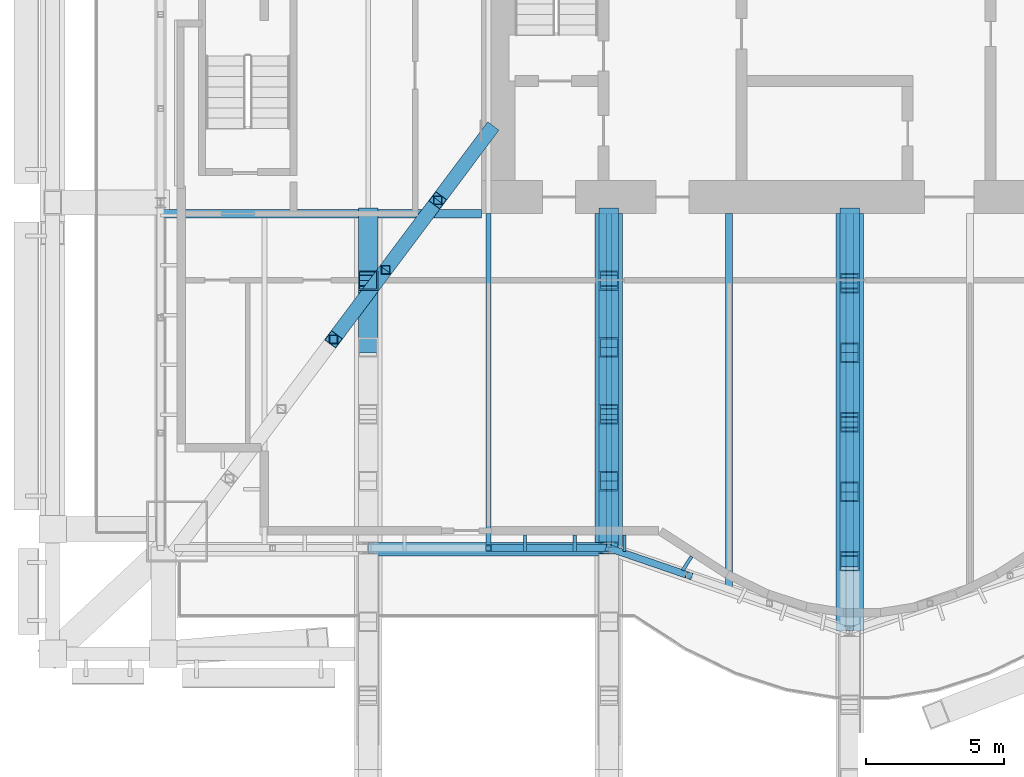
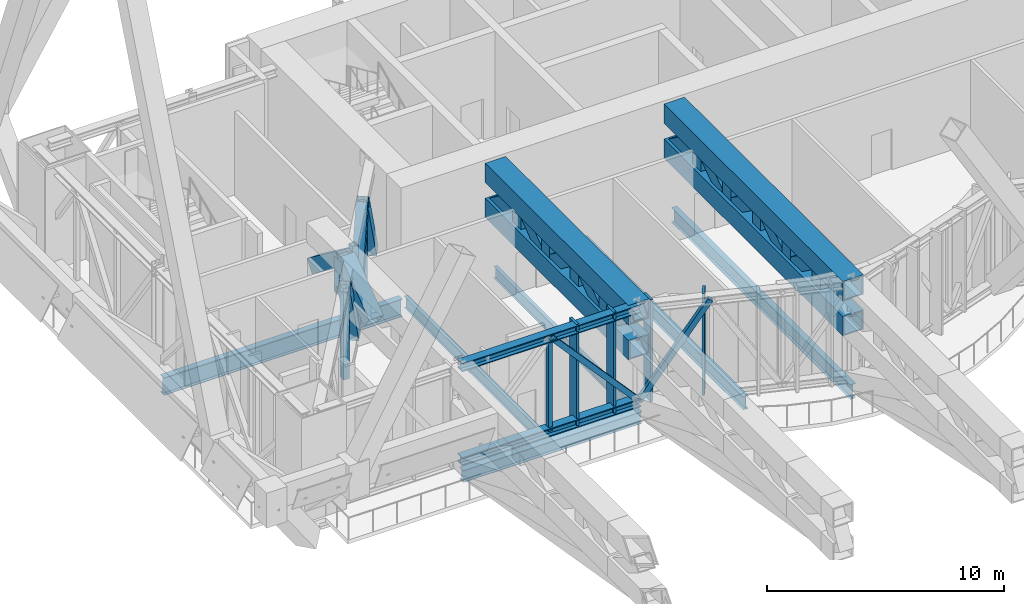
# One storey, part 9 of 30: 41 members, 6 beams, 1 element without a shape of its own.
"""IFC4 building model written with IfcOpenShell, lengths in metres."""

from ifc_helpers import new_model, si_unit, direction, frame, origin, origin_2d, place, context, subcontext, project, spatial, rectangle, hollow_rectangle, i_section, extrude, material, material_profile, profile_set, type_object, element, aggregate, save


model = new_model("IFC4")

# Units and contexts
model_context = context("Model", 3, precision=1e-05, world=origin(), true_north=direction((0.0, 1.0)))
body_context = subcontext(model_context, "Body", "Model", "MODEL_VIEW")
ifc_project = project(units=[si_unit("LENGTHUNIT", "METRE"), si_unit("AREAUNIT", "SQUARE_METRE"), si_unit("VOLUMEUNIT", "CUBIC_METRE"), si_unit("PLANEANGLEUNIT", "RADIAN"), si_unit("MASSUNIT", "GRAM", prefix="KILO")], contexts=[model_context])

# Site, building, storey
site_placement = place(None, origin())
site = spatial("IfcSite", under=ifc_project, at=site_placement, CompositionType="ELEMENT")
building_placement = place(site_placement, origin())
building = spatial("IfcBuilding", under=site, at=building_placement, Name="Bicima Exchange Tower", CompositionType="ELEMENT")
storey_placement = place(building_placement, frame((0.0, 0.0, 287.60009765625)))
storey = spatial("IfcBuildingStorey", under=building, at=storey_placement, Name="L65", CompositionType="ELEMENT", Elevation=287.60009765625)

# Curtain wall, members
ifc_material_1 = material(Name="Anodised bronze aluminium", Category="aluminium")
curtain_wall_type = type_object("IfcCurtainWallType", Name="Band blade screen", PredefinedType="NOTDEFINED", material=ifc_material_1)
curtain_wall_placement = place(storey_placement, origin())
curtain_wall = element("IfcCurtainWall", 1, at=curtain_wall_placement, inside=storey, type_object=curtain_wall_type, Name="Band blade screen L65", PredefinedType="NOTDEFINED")
ifc_material_profile_1 = material_profile(ifc_material_1, rectangle(XDim=0.60009765625, YDim=0.1201171875, at=origin_2d()))
ifc_profile_set_1 = profile_set([ifc_material_profile_1], Name="Anodised bronze aluminium")
member_type_1 = type_object("IfcMemberType", Name="Band blade fin 600 x 120", PredefinedType="USERDEFINED", material=ifc_profile_set_1)
member_1_placement = place(storey_placement, frame((-20.432373046875, -24.904052734375, 0.0), z_axis=(0.0, 0.0, 1.0), x_axis=(0.0, 1.0, 0.0)))
member_1 = element("IfcMember", 2, at=member_1_placement, type_object=member_type_1, Name="Band blade fin 20", ObjectType="FIN", PredefinedType="USERDEFINED", context=body_context, shape_type="SweptSolid", body=[
    extrude(rectangle(XDim=0.60009765625, YDim=0.1201171875, at=origin_2d()), origin(), (0.0, 0.0, 1.0), 5.25),
])
member_2_placement = place(storey_placement, frame((-18.63232421875, -24.904052734375, 0.0), z_axis=(0.0, 0.0, 1.0), x_axis=(0.0, 1.0, 0.0)))
member_2 = element("IfcMember", 3, at=member_2_placement, type_object=member_type_1, Name="Band blade fin 21", ObjectType="FIN", PredefinedType="USERDEFINED", context=body_context, shape_type="SweptSolid", body=[
    extrude(rectangle(XDim=0.60009765625, YDim=0.1201171875, at=origin_2d()), origin(), (0.0, 0.0, 1.0), 5.25),
])
member_3_placement = place(storey_placement, frame((-16.832275390625, -24.904052734375, 0.0), z_axis=(0.0, 0.0, 1.0), x_axis=(0.0, 1.0, 0.0)))
member_3 = element("IfcMember", 4, at=member_3_placement, type_object=member_type_1, Name="Band blade fin 22", ObjectType="FIN", PredefinedType="USERDEFINED", context=body_context, shape_type="SweptSolid", body=[
    extrude(rectangle(XDim=0.60009765625, YDim=0.1201171875, at=origin_2d()), origin(), (0.0, 0.0, 1.0), 5.25),
])
member_4_placement = place(storey_placement, frame((-14.5703125, -25.636474609375, 0.0), z_axis=(0.0, 0.0, 1.0), x_axis=(0.542916511621, 0.839786676132, 0.0)))
member_4 = element("IfcMember", 5, at=member_4_placement, type_object=member_type_1, Name="Band blade fin 23", ObjectType="FIN", PredefinedType="USERDEFINED", context=body_context, shape_type="SweptSolid", body=[
    extrude(rectangle(XDim=0.60009765625, YDim=0.1201171875, at=origin_2d()), origin(), (0.0, 0.0, 1.0), 5.25),
])
aggregate(curtain_wall, [member_1, member_2, member_3, member_4])

# Members
ifc_material_2 = material(Name="Steel ASTM A992 Gr 50", Category="steel")
ifc_material_profile_2 = material_profile(ifc_material_2, i_section(OverallWidth=0.406494140625, OverallDepth=0.41650390625, WebThickness=0.030029296875, FlangeThickness=0.048095703125, at=origin_2d()))
ifc_profile_set_2 = profile_set([ifc_material_profile_2], Name="Steel ASTM A992 Gr 50")
member_type_2 = type_object("IfcMemberType", Name="Belt truss chord W14x257", PredefinedType="CHORD", material=ifc_profile_set_2)
for number, where, z_axis, x_axis, name in (
    (6, (-26.10009765625, -25.08203125, 5.04150390625), (1.0, 0.0, 0.0), (0.0, 1.0, 0.0), "Top chord"),
    (7, (-26.10009765625, -25.08203125, 0.208251953125), (1.0, 0.0, 0.0), (0.0, 1.0, 0.0), "Bottom chord"),
):
    element("IfcMember", number, at=place(storey_placement, frame(where, z_axis=z_axis, x_axis=x_axis)), inside=storey, type_object=member_type_2, Name=name, PredefinedType="CHORD", context=body_context, shape_type="SweptSolid", body=[
        extrude(i_section(OverallWidth=0.406494140625, OverallDepth=0.41650390625, WebThickness=0.030029296875, FlangeThickness=0.048095703125, at=origin_2d()), origin(), (0.0, 0.0, 1.0), 8.7001953125),
    ])
ifc_material_3 = material(Name="Steel ASTM A572 Gr 50", Category="steel")
ifc_material_profile_3 = material_profile(ifc_material_3, hollow_rectangle(XDim=0.25390625, YDim=0.25390625, WallThickness=0.01171875, at=origin_2d()))
ifc_profile_set_3 = profile_set([ifc_material_profile_3], Name="Steel ASTM A572 Gr 50")
member_type_3 = type_object("IfcMemberType", Name="Belt truss diagonal HSS10x10x1/2", PredefinedType="STRUT", material=ifc_profile_set_3)
member_5_placement = place(storey_placement, frame((-21.75, -25.08203125, 5.04150390625), z_axis=(0.668979251714, 0.0, -0.743281077908), x_axis=(0.0, 1.0, 0.0)))
element("IfcMember", 8, at=member_5_placement, inside=storey, type_object=member_type_3, Name="Truss diagonal", PredefinedType="STRUT", context=body_context, shape_type="SweptSolid", body=[
    extrude(hollow_rectangle(XDim=0.25390625, YDim=0.25390625, WallThickness=0.01171875, at=origin_2d()), origin(), (0.0, 0.0, 1.0), 6.502685546875),
])
member_6_placement = place(storey_placement, frame((-17.39990234375, -25.08203125, 0.208251953125), z_axis=(0.506623731126, -0.174191894083, 0.844387102635), x_axis=(0.325146518908, 0.945663651222, 0.0)))
element("IfcMember", 9, at=member_6_placement, inside=storey, type_object=member_type_3, Name="Truss diagonal", PredefinedType="STRUT", context=body_context, shape_type="SweptSolid", body=[
    extrude(hollow_rectangle(XDim=0.25390625, YDim=0.25390625, WallThickness=0.01171875, at=origin_2d()), origin(), (0.0, 0.0, 1.0), 5.723876953125),
])
ifc_material_profile_4 = material_profile(ifc_material_3, hollow_rectangle(XDim=0.203125, YDim=0.203125, WallThickness=0.01171875, at=origin_2d()))
ifc_profile_set_4 = profile_set([ifc_material_profile_4], Name="Steel ASTM A572 Gr 50")
member_type_4 = type_object("IfcMemberType", Name="Belt truss post HSS8x8x1/2", PredefinedType="POST", material=ifc_profile_set_4)
member_7_placement = place(storey_placement, frame((-21.75, -25.08203125, 0.208251953125), z_axis=(0.0, 0.0, 1.0), x_axis=(1.0, 0.0, 0.0)))
element("IfcMember", 10, at=member_7_placement, inside=storey, type_object=member_type_4, Name="Truss post", PredefinedType="POST", context=body_context, shape_type="SweptSolid", body=[
    extrude(hollow_rectangle(XDim=0.203125, YDim=0.203125, WallThickness=0.01171875, at=origin_2d()), origin(), (0.0, 0.0, 1.0), 4.833251953125),
])

# Beams
ifc_material_profile_5 = material_profile(ifc_material_2, i_section(OverallWidth=0.3046875, OverallDepth=0.911865234375, WebThickness=0.015869140625, FlangeThickness=0.02392578125, at=origin_2d()))
ifc_profile_set_5 = profile_set([ifc_material_profile_5], Name="Steel ASTM A992 Gr 50")
beam_type_1 = type_object("IfcBeamType", Name="Core-line girder W36x150", PredefinedType="BEAM", material=ifc_profile_set_5)
beam_1_placement = place(storey_placement, frame((-22.0, -13.0, -0.656005859375), z_axis=(-1.0, 0.0, 0.0), x_axis=(0.0, -1.0, 0.0)))
element("IfcBeam", 11, at=beam_1_placement, inside=storey, type_object=beam_type_1, Name="Core-line girder", PredefinedType="BEAM", context=body_context, shape_type="SweptSolid", body=[
    extrude(i_section(OverallWidth=0.3046875, OverallDepth=0.911865234375, WebThickness=0.015869140625, FlangeThickness=0.02392578125, at=origin_2d()), origin(), (0.0, 0.0, 1.0), 11.60009765625),
])
ifc_material_profile_6 = material_profile(ifc_material_2, i_section(OverallWidth=0.177978515625, OverallDepth=0.599365234375, WebThickness=0.010009765625, FlangeThickness=0.012939453125, at=origin_2d()))
ifc_profile_set_6 = profile_set([ifc_material_profile_6], Name="Steel ASTM A992 Gr 50")
beam_type_2 = type_object("IfcBeamType", Name="Floor beam W24x55", PredefinedType="JOIST", material=ifc_profile_set_6)
for number, where, z_axis, x_axis, name in (
    (12, (-21.75, -13.0, -0.499755859375), (0.0, -1.0, 0.0), (1.0, 0.0, 0.0), "Floor beam"),
    (13, (-17.39990234375, -13.0, -0.499755859375), (0.0, -1.0, 0.0), (1.0, 0.0, 0.0), "Floor beam"),
):
    element("IfcBeam", number, at=place(storey_placement, frame(where, z_axis=z_axis, x_axis=x_axis)), inside=storey, type_object=beam_type_2, Name=name, PredefinedType="JOIST", context=body_context, shape_type="SweptSolid", body=[
        extrude(i_section(OverallWidth=0.177978515625, OverallDepth=0.599365234375, WebThickness=0.010009765625, FlangeThickness=0.012939453125, at=origin_2d()), origin(), (0.0, 0.0, 1.0), 12.04150390625),
    ])
ifc_material_profile_7 = material_profile(ifc_material_2, i_section(OverallWidth=0.25390625, OverallDepth=0.67822265625, WebThickness=0.01171875, FlangeThickness=0.016357421875, at=origin_2d()))
ifc_profile_set_7 = profile_set([ifc_material_profile_7], Name="Steel ASTM A992 Gr 50")
beam_type_3 = type_object("IfcBeamType", Name="Floor beam W27x84", PredefinedType="JOIST", material=ifc_profile_set_7)
beam_2_placement = place(storey_placement, frame((-13.050048828125, -13.0, -0.539306640625), z_axis=(0.0, -1.0, 0.0), x_axis=(1.0, 0.0, 0.0)))
element("IfcBeam", 14, at=beam_2_placement, inside=storey, type_object=beam_type_3, Name="Floor beam", PredefinedType="JOIST", context=body_context, shape_type="SweptSolid", body=[
    extrude(i_section(OverallWidth=0.25390625, OverallDepth=0.67822265625, WebThickness=0.01171875, FlangeThickness=0.016357421875, at=origin_2d()), origin(), (0.0, 0.0, 1.0), 13.56396484375),
])
ifc_material_profile_8 = material_profile(ifc_material_2, i_section(OverallWidth=0.2666015625, OverallDepth=0.75439453125, WebThickness=0.01318359375, FlangeThickness=0.01708984375, at=origin_2d()))
ifc_profile_set_8 = profile_set([ifc_material_profile_8], Name="Steel ASTM A992 Gr 50")
beam_type_4 = type_object("IfcBeamType", Name="Floor beam W30x99", PredefinedType="JOIST", material=ifc_profile_set_8)
beam_3_placement = place(storey_placement, frame((-8.699951171875, -13.0, -0.577392578125), z_axis=(0.0, -1.0, 0.0), x_axis=(1.0, 0.0, 0.0)))
element("IfcBeam", 15, at=beam_3_placement, inside=storey, type_object=beam_type_4, Name="Floor beam", PredefinedType="JOIST", context=body_context, shape_type="SweptSolid", body=[
    extrude(i_section(OverallWidth=0.2666015625, OverallDepth=0.75439453125, WebThickness=0.01318359375, FlangeThickness=0.01708984375, at=origin_2d()), origin(), (0.0, 0.0, 1.0), 15.059326171875),
])
ifc_material_profile_9 = material_profile(ifc_material_2, i_section(OverallWidth=0.3251953125, OverallDepth=0.612060546875, WebThickness=0.0126953125, FlangeThickness=0.01904296875, at=origin_2d()))
ifc_profile_set_9 = profile_set([ifc_material_profile_9], Name="Steel ASTM A992 Gr 50")
beam_type_5 = type_object("IfcBeamType", Name="Front girder W24x104", PredefinedType="BEAM", material=ifc_profile_set_9)
beam_4_placement = place(storey_placement, frame((-26.10009765625, -25.2041015625, -0.506103515625), z_axis=(1.0, 0.0, 0.0), x_axis=(0.0, 1.0, 0.0)))
element("IfcBeam", 16, at=beam_4_placement, inside=storey, type_object=beam_type_5, Name="Front girder", PredefinedType="BEAM", context=body_context, shape_type="SweptSolid", body=[
    extrude(i_section(OverallWidth=0.3251953125, OverallDepth=0.612060546875, WebThickness=0.0126953125, FlangeThickness=0.01904296875, at=origin_2d()), origin(), (0.0, 0.0, 1.0), 8.7001953125),
])

# Members
ifc_material_profile_10 = material_profile(ifc_material_3, hollow_rectangle(XDim=0.508056640625, YDim=0.508056640625, WallThickness=0.017822265625, at=origin_2d()))
ifc_profile_set_10 = profile_set([ifc_material_profile_10], Name="Steel ASTM A572 Gr 50")
member_type_5 = type_object("IfcMemberType", Name="Outrigger truss diagonal HSS20x20x3/4", PredefinedType="STRUT", material=ifc_profile_set_10)
member_8_placement = place(storey_placement, frame((-21.699951171875, -10.0, 0.284423828125), z_axis=(-0.334093656655, -0.445920182644, 0.830383417039), x_axis=(0.800298380594, -0.599601952982, 0.0)))
element("IfcMember", 17, at=member_8_placement, inside=storey, type_object=member_type_5, Name="Truss diagonal", PredefinedType="STRUT", context=body_context, shape_type="SweptSolid", body=[
    extrude(hollow_rectangle(XDim=0.508056640625, YDim=0.508056640625, WallThickness=0.017822265625, at=origin_2d()), origin(), (0.0, 0.0, 1.0), 5.636962890625),
])
member_9_placement = place(storey_placement, frame((-23.583251953125, -12.513671875, 4.96533203125), z_axis=(-0.334132131656, -0.445913730075, -0.830371401197), x_axis=(0.800261081681, -0.599651733214, 0.0)))
element("IfcMember", 18, at=member_9_placement, inside=storey, type_object=member_type_5, Name="Truss diagonal", PredefinedType="STRUT", context=body_context, shape_type="SweptSolid", body=[
    extrude(hollow_rectangle(XDim=0.508056640625, YDim=0.508056640625, WallThickness=0.017822265625, at=origin_2d()), origin(), (0.0, 0.0, 1.0), 5.63720703125),
])
member_10_placement = place(storey_placement, frame((-25.466796875, -15.02734375, 0.284423828125), z_axis=(-0.334093656655, -0.445920182644, 0.830383417039), x_axis=(0.800298380594, -0.599601952982, 0.0)))
element("IfcMember", 19, at=member_10_placement, inside=storey, type_object=member_type_5, Name="Truss diagonal", PredefinedType="STRUT", context=body_context, shape_type="SweptSolid", body=[
    extrude(hollow_rectangle(XDim=0.508056640625, YDim=0.508056640625, WallThickness=0.017822265625, at=origin_2d()), origin(), (0.0, 0.0, 1.0), 5.636962890625),
])
ifc_material_profile_11 = material_profile(ifc_material_3, hollow_rectangle(XDim=0.3046875, YDim=0.3046875, WallThickness=0.01171875, at=origin_2d()))
ifc_profile_set_11 = profile_set([ifc_material_profile_11], Name="Steel ASTM A572 Gr 50")
member_type_6 = type_object("IfcMemberType", Name="Outrigger truss post HSS12x12x1/2", PredefinedType="POST", material=ifc_profile_set_11)
for number, where, z_axis, x_axis, name in (
    (20, (-23.583251953125, -12.513671875, 0.284423828125), (0.0, 0.0, 1.0), (1.0, 0.0, 0.0), "Truss post"),
    (21, (-25.466796875, -15.02734375, 0.284423828125), (0.0, 0.0, 1.0), (1.0, 0.0, 0.0), "Truss post"),
    (22, (-27.35009765625, -17.541015625, 0.284423828125), (0.0, 0.0, 1.0), (1.0, 0.0, 0.0), "Truss post"),
):
    element("IfcMember", number, at=place(storey_placement, frame(where, z_axis=z_axis, x_axis=x_axis)), inside=storey, type_object=member_type_6, Name=name, PredefinedType="POST", context=body_context, shape_type="SweptSolid", body=[
        extrude(hollow_rectangle(XDim=0.3046875, YDim=0.3046875, WallThickness=0.01171875, at=origin_2d()), origin(), (0.0, 0.0, 1.0), 4.680908203125),
    ])
ifc_material_profile_12 = material_profile(ifc_material_3, hollow_rectangle(XDim=1.0, YDim=1.0, WallThickness=0.06005859375, at=origin_2d()))
ifc_profile_set_12 = profile_set([ifc_material_profile_12], Name="Steel ASTM A572 Gr 50")
member_type_7 = type_object("IfcMemberType", Name="Pool cantilever truss chord BOX 1000x1000x60", PredefinedType="CHORD", material=ifc_profile_set_12)
for number, where, z_axis, x_axis, name in (
    (23, (-17.39990234375, -13.0, 4.75), (0.0, -1.0, 0.0), (1.0, 0.0, 0.0), "Top chord"),
    (24, (-17.39990234375, -13.0, 2.949951171875), (0.0, -1.0, 0.0), (1.0, 0.0, 0.0), "Bottom chord"),
):
    element("IfcMember", number, at=place(storey_placement, frame(where, z_axis=z_axis, x_axis=x_axis)), inside=storey, type_object=member_type_7, Name=name, PredefinedType="CHORD", context=body_context, shape_type="SweptSolid", body=[
        extrude(hollow_rectangle(XDim=1.0, YDim=1.0, WallThickness=0.06005859375, at=origin_2d()), origin(), (0.0, 0.0, 1.0), 12.08203125),
    ])
for number, where, z_axis, x_axis, name in (
    (25, (-8.699951171875, -13.0, 4.75), (0.0, -1.0, 0.0), (1.0, 0.0, 0.0), "Top chord"),
    (26, (-8.699951171875, -13.0, 2.949951171875), (0.0, -1.0, 0.0), (1.0, 0.0, 0.0), "Bottom chord"),
):
    element("IfcMember", number, at=place(storey_placement, frame(where, z_axis=z_axis, x_axis=x_axis)), inside=storey, type_object=member_type_7, Name=name, PredefinedType="CHORD", context=body_context, shape_type="SweptSolid", body=[
        extrude(hollow_rectangle(XDim=1.0, YDim=1.0, WallThickness=0.06005859375, at=origin_2d()), origin(), (0.0, 0.0, 1.0), 15.072998046875),
    ])
ifc_material_profile_13 = material_profile(ifc_material_3, hollow_rectangle(XDim=0.699951171875, YDim=0.699951171875, WallThickness=0.0400390625, at=origin_2d()))
ifc_profile_set_13 = profile_set([ifc_material_profile_13], Name="Steel ASTM A572 Gr 50")
member_type_8 = type_object("IfcMemberType", Name="Pool cantilever truss diagonal BOX 700x700x40", PredefinedType="STRUT", material=ifc_profile_set_13)
member_11_placement = place(storey_placement, frame((-26.10009765625, -13.0, 2.949951171875), z_axis=(0.0, -0.80195969711, 0.597378141725), x_axis=(1.0, 0.0, 0.0)))
element("IfcMember", 27, at=member_11_placement, inside=storey, type_object=member_type_8, Name="Truss diagonal", PredefinedType="STRUT", context=body_context, shape_type="SweptSolid", body=[
    extrude(hollow_rectangle(XDim=0.699951171875, YDim=0.699951171875, WallThickness=0.0400390625, at=origin_2d()), origin(), (0.0, 0.0, 1.0), 3.01318359375),
])
member_12_placement = place(storey_placement, frame((-26.10009765625, -15.41650390625, 4.75), z_axis=(0.0, -0.801930780587, -0.597416959206), x_axis=(1.0, 0.0, 0.0)))
element("IfcMember", 28, at=member_12_placement, inside=storey, type_object=member_type_8, Name="Truss diagonal", PredefinedType="STRUT", context=body_context, shape_type="SweptSolid", body=[
    extrude(hollow_rectangle(XDim=0.699951171875, YDim=0.699951171875, WallThickness=0.0400390625, at=origin_2d()), origin(), (0.0, 0.0, 1.0), 3.012939453125),
])
member_13_placement = place(storey_placement, frame((-17.39990234375, -13.0, 2.949951171875), z_axis=(0.0, -0.80195969711, 0.597378141725), x_axis=(1.0, 0.0, 0.0)))
element("IfcMember", 29, at=member_13_placement, inside=storey, type_object=member_type_8, Name="Truss diagonal", PredefinedType="STRUT", context=body_context, shape_type="SweptSolid", body=[
    extrude(hollow_rectangle(XDim=0.699951171875, YDim=0.699951171875, WallThickness=0.0400390625, at=origin_2d()), origin(), (0.0, 0.0, 1.0), 3.01318359375),
])
member_14_placement = place(storey_placement, frame((-17.39990234375, -15.41650390625, 4.75), z_axis=(0.0, -0.801930780587, -0.597416959206), x_axis=(1.0, 0.0, 0.0)))
element("IfcMember", 30, at=member_14_placement, inside=storey, type_object=member_type_8, Name="Truss diagonal", PredefinedType="STRUT", context=body_context, shape_type="SweptSolid", body=[
    extrude(hollow_rectangle(XDim=0.699951171875, YDim=0.699951171875, WallThickness=0.0400390625, at=origin_2d()), origin(), (0.0, 0.0, 1.0), 3.012939453125),
])
member_15_placement = place(storey_placement, frame((-17.39990234375, -17.832763671875, 2.949951171875), z_axis=(0.0, -0.80195969711, 0.597378141725), x_axis=(1.0, 0.0, 0.0)))
element("IfcMember", 31, at=member_15_placement, inside=storey, type_object=member_type_8, Name="Truss diagonal", PredefinedType="STRUT", context=body_context, shape_type="SweptSolid", body=[
    extrude(hollow_rectangle(XDim=0.699951171875, YDim=0.699951171875, WallThickness=0.0400390625, at=origin_2d()), origin(), (0.0, 0.0, 1.0), 3.01318359375),
])
member_16_placement = place(storey_placement, frame((-17.39990234375, -20.249267578125, 4.75), z_axis=(0.0, -0.801930780587, -0.597416959206), x_axis=(1.0, 0.0, 0.0)))
element("IfcMember", 32, at=member_16_placement, inside=storey, type_object=member_type_8, Name="Truss diagonal", PredefinedType="STRUT", context=body_context, shape_type="SweptSolid", body=[
    extrude(hollow_rectangle(XDim=0.699951171875, YDim=0.699951171875, WallThickness=0.0400390625, at=origin_2d()), origin(), (0.0, 0.0, 1.0), 3.012939453125),
])
member_17_placement = place(storey_placement, frame((-17.39990234375, -22.66552734375, 2.949951171875), z_axis=(0.0, -0.80195969711, 0.597378141725), x_axis=(1.0, 0.0, 0.0)))
element("IfcMember", 33, at=member_17_placement, inside=storey, type_object=member_type_8, Name="Truss diagonal", PredefinedType="STRUT", context=body_context, shape_type="SweptSolid", body=[
    extrude(hollow_rectangle(XDim=0.699951171875, YDim=0.699951171875, WallThickness=0.0400390625, at=origin_2d()), origin(), (0.0, 0.0, 1.0), 3.01318359375),
])
for number, where, z_axis, x_axis, name in (
    (34, (-8.699951171875, -13.0, 2.949951171875), (0.0, -0.812873228809, 0.582440652673), (1.0, 0.0, 0.0), "Truss diagonal"),
    (35, (-8.699951171875, -15.51220703125, 4.75), (0.0, -0.812873228809, -0.582440652673), (1.0, 0.0, 0.0), "Truss diagonal"),
    (36, (-8.699951171875, -18.0244140625, 2.949951171875), (0.0, -0.812873228809, 0.582440652673), (1.0, 0.0, 0.0), "Truss diagonal"),
):
    element("IfcMember", number, at=place(storey_placement, frame(where, z_axis=z_axis, x_axis=x_axis)), inside=storey, type_object=member_type_8, Name=name, PredefinedType="STRUT", context=body_context, shape_type="SweptSolid", body=[
        extrude(hollow_rectangle(XDim=0.699951171875, YDim=0.699951171875, WallThickness=0.0400390625, at=origin_2d()), origin(), (0.0, 0.0, 1.0), 3.090576171875),
    ])
member_18_placement = place(storey_placement, frame((-8.699951171875, -20.53662109375, 4.75), z_axis=(0.0, -0.812846427707, -0.582478055349), x_axis=(1.0, 0.0, 0.0)))
element("IfcMember", 37, at=member_18_placement, inside=storey, type_object=member_type_8, Name="Truss diagonal", PredefinedType="STRUT", context=body_context, shape_type="SweptSolid", body=[
    extrude(hollow_rectangle(XDim=0.699951171875, YDim=0.699951171875, WallThickness=0.0400390625, at=origin_2d()), origin(), (0.0, 0.0, 1.0), 3.09033203125),
])
member_19_placement = place(storey_placement, frame((-8.699951171875, -23.048583984375, 2.949951171875), z_axis=(0.0, -0.812873228809, 0.582440652673), x_axis=(1.0, 0.0, 0.0)))
element("IfcMember", 38, at=member_19_placement, inside=storey, type_object=member_type_8, Name="Truss diagonal", PredefinedType="STRUT", context=body_context, shape_type="SweptSolid", body=[
    extrude(hollow_rectangle(XDim=0.699951171875, YDim=0.699951171875, WallThickness=0.0400390625, at=origin_2d()), origin(), (0.0, 0.0, 1.0), 3.090576171875),
])
member_type_9 = type_object("IfcMemberType", Name="Pool cantilever truss post BOX 700x700x40", PredefinedType="POST", material=ifc_profile_set_13)
for number, where, z_axis, x_axis, name in (
    (39, (-26.10009765625, -15.41650390625, 2.949951171875), (0.0, 0.0, 1.0), (1.0, 0.0, 0.0), "Truss post"),
    (40, (-17.39990234375, -15.41650390625, 2.949951171875), (0.0, 0.0, 1.0), (1.0, 0.0, 0.0), "Truss post"),
    (41, (-17.39990234375, -17.832763671875, 2.949951171875), (0.0, 0.0, 1.0), (1.0, 0.0, 0.0), "Truss post"),
    (42, (-17.39990234375, -20.249267578125, 2.949951171875), (0.0, 0.0, 1.0), (1.0, 0.0, 0.0), "Truss post"),
    (43, (-17.39990234375, -22.66552734375, 2.949951171875), (0.0, 0.0, 1.0), (1.0, 0.0, 0.0), "Truss post"),
    (44, (-8.699951171875, -15.51220703125, 2.949951171875), (0.0, 0.0, 1.0), (1.0, 0.0, 0.0), "Truss post"),
    (45, (-8.699951171875, -18.0244140625, 2.949951171875), (0.0, 0.0, 1.0), (1.0, 0.0, 0.0), "Truss post"),
    (46, (-8.699951171875, -20.53662109375, 2.949951171875), (0.0, 0.0, 1.0), (1.0, 0.0, 0.0), "Truss post"),
    (47, (-8.699951171875, -23.048583984375, 2.949951171875), (0.0, 0.0, 1.0), (1.0, 0.0, 0.0), "Truss post"),
    (48, (-8.699951171875, -25.560791015625, 2.949951171875), (0.0, 0.0, 1.0), (1.0, 0.0, 0.0), "Truss post"),
):
    element("IfcMember", number, at=place(storey_placement, frame(where, z_axis=z_axis, x_axis=x_axis)), inside=storey, type_object=member_type_9, Name=name, PredefinedType="POST", context=body_context, shape_type="SweptSolid", body=[
        extrude(hollow_rectangle(XDim=0.699951171875, YDim=0.699951171875, WallThickness=0.0400390625, at=origin_2d()), origin(), (0.0, 0.0, 1.0), 1.800048828125),
    ])

save(model, "model.ifc")
